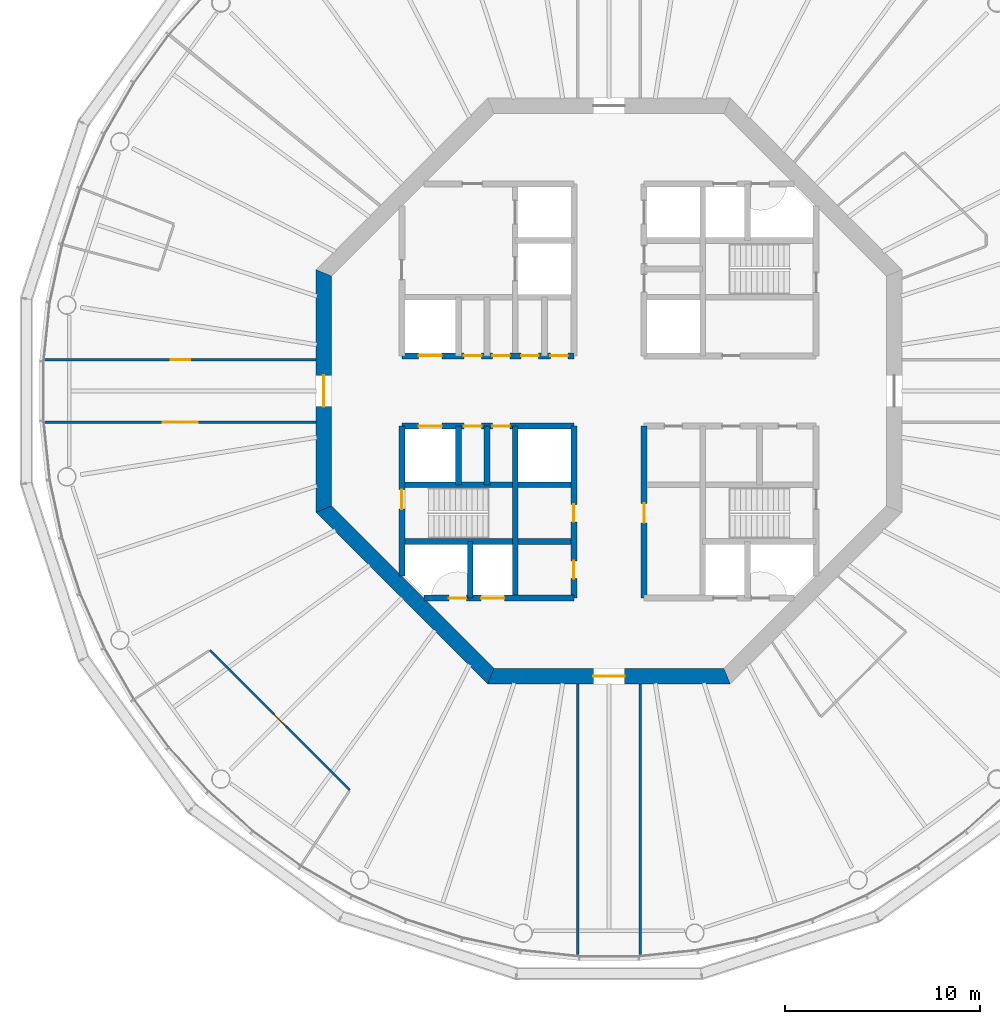
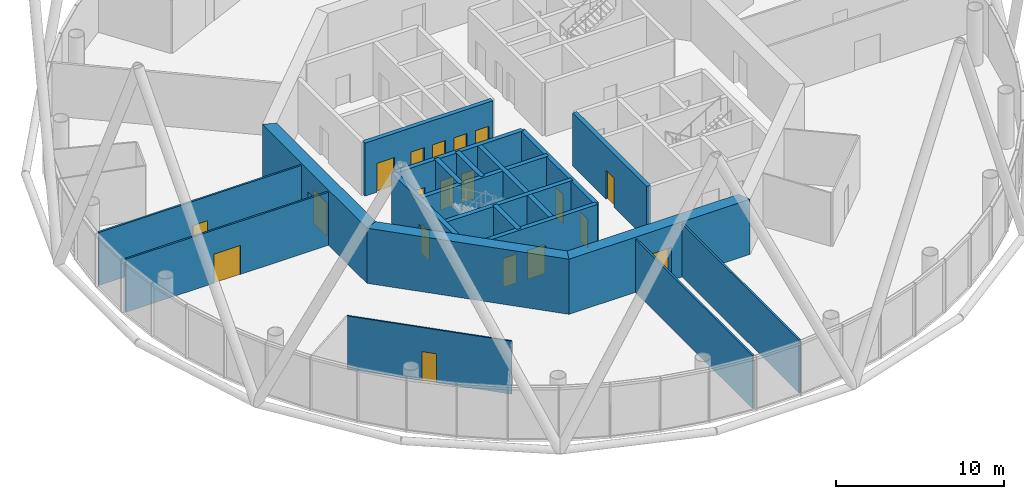
# One storey, part 3 of 13: 20 walls, 19 doors, 19 openings.
"""IFC4 building model written with IfcOpenShell, lengths in metres."""

from ifc_helpers import new_model, si_unit, direction, frame, frame_2d, origin, place, context, subcontext, project, spatial, polyline, rectangle, outline, extrude, material, layer, layer_set, type_object, element, fill, save


model = new_model("IFC4")

# Units and contexts
model_context = context("Model", 3, precision=1e-05, world=origin(), true_north=direction((0.0, 1.0)))
body_context = subcontext(model_context, "Body", "Model", "MODEL_VIEW")
ifc_project = project(units=[si_unit("LENGTHUNIT", "METRE"), si_unit("AREAUNIT", "SQUARE_METRE"), si_unit("VOLUMEUNIT", "CUBIC_METRE"), si_unit("PLANEANGLEUNIT", "RADIAN"), si_unit("MASSUNIT", "GRAM", prefix="KILO")], contexts=[model_context])

# Site, building, storey
site_placement = place(None, origin())
site = spatial("IfcSite", under=ifc_project, at=site_placement, CompositionType="ELEMENT")
building_placement = place(site_placement, origin())
building = spatial("IfcBuilding", under=site, at=building_placement, Name="Entoto Ring Tower", CompositionType="ELEMENT")
storey_placement = place(building_placement, frame((0.0, 0.0, 274.0)))
storey = spatial("IfcBuildingStorey", under=building, at=storey_placement, Name="L62", CompositionType="ELEMENT", Elevation=274.0)

# Wall, opening, door
ifc_material_1 = material(Name="Concrete C40/50", Category="concrete")
ifc_layer_1 = layer(ifc_material_1, 0.300048828125)
ifc_layer_set_1 = layer_set([ifc_layer_1], Name="Concrete C40/50")
wall_type_1 = type_object("IfcWallType", Name="Core enclosure wall 300 mm reinforced concrete", PredefinedType="SOLIDWALL", material=ifc_layer_set_1)
wall_1_placement = place(storey_placement, frame((91.800048828125, 69.39990234375, 0.0), z_axis=(0.0, 0.0, 1.0), x_axis=(0.0, 1.0, 0.0)))
wall_1 = element("IfcWall", 1, at=wall_1_placement, inside=storey, type_object=wall_type_1, Name="wall-L62-008", PredefinedType="SOLIDWALL", context=body_context, shape_type="SweptSolid", body=[
    extrude(rectangle(XDim=8.800048828125, YDim=0.300048828125, at=frame_2d((4.39990234375, 0.0))), origin(), (0.0, 0.0, 1.0), 3.85009765625),
])
opening_1_placement = place(wall_1_placement, frame((3.85009765625, 0.0, 0.0)))
opening_1 = element("IfcOpeningElement", 2, at=opening_1_placement, cuts=wall_1, Name="Opening K-64", PredefinedType="OPENING", context=body_context, shape_type="SweptSolid", body=[
    extrude(rectangle(XDim=1.0, YDim=2.10009765625, at=frame_2d((0.5, 1.050048828125))), frame((0.0, 0.16015625, 0.0), z_axis=(0.0, -1.0, 0.0), x_axis=(1.0, 0.0, 0.0)), (0.0, 0.0, 1.0), 0.320068359375),
])
ifc_material_2 = material(Name="Steel door leaf, fire rated", Category="steel")
ifc_layer_2 = layer(ifc_material_2, 0.050048828125)
ifc_layer_set_2 = layer_set([ifc_layer_2], Name="Steel door leaf, fire rated")
door_type_1 = type_object("IfcDoorType", Name="Accessible door 1000 x 2100 single leaf", OperationType="NOTDEFINED", PredefinedType="DOOR", material=ifc_layer_set_2)
door_1_placement = place(opening_1_placement, frame((1.0, 0.0, 0.0), z_axis=(0.0, 0.0, 1.0), x_axis=(-1.0, 0.0, 0.0)))
door_1 = element("IfcDoor", 3, at=door_1_placement, inside=storey, type_object=door_type_1, Name="Door K-64", OperationType="SINGLE_SWING_LEFT", OverallHeight=2.10009765625, OverallWidth=1.0, PredefinedType="DOOR", context=body_context, shape_type="SweptSolid", body=[
    extrude(rectangle(XDim=1.0, YDim=2.10009765625, at=frame_2d((0.5, 1.050048828125))), frame((0.0, 0.02490234375, 0.0), z_axis=(0.0, -1.0, 0.0), x_axis=(1.0, 0.0, 0.0)), (0.0, 0.0, 1.0), 0.050048828125),
])
fill(opening_1, door_1)

# Wall, openings, doors
wall_2_placement = place(storey_placement, frame((88.199951171875, 69.39990234375, 0.0), z_axis=(0.0, 0.0, 1.0), x_axis=(0.0, 1.0, 0.0)))
wall_2 = element("IfcWall", 4, at=wall_2_placement, inside=storey, type_object=wall_type_1, Name="wall-L62-010", PredefinedType="SOLIDWALL", context=body_context, shape_type="SweptSolid", body=[
    extrude(rectangle(XDim=8.800048828125, YDim=0.300048828125, at=frame_2d((4.39990234375, 0.0))), origin(), (0.0, 0.0, 1.0), 3.85009765625),
])
opening_2_placement = place(wall_2_placement, frame((3.89990234375, 0.0, 0.0)))
opening_2 = element("IfcOpeningElement", 5, at=opening_2_placement, cuts=wall_2, Name="Opening K-21", PredefinedType="OPENING", context=body_context, shape_type="SweptSolid", body=[
    extrude(rectangle(XDim=0.89990234375, YDim=2.10009765625, at=frame_2d((0.449951171875, 1.050048828125))), frame((0.0, 0.16015625, 0.0), z_axis=(0.0, -1.0, 0.0), x_axis=(1.0, 0.0, 0.0)), (0.0, 0.0, 1.0), 0.320068359375),
])
opening_3_placement = place(wall_2_placement, frame((1.0, 0.0, 0.0)))
opening_3 = element("IfcOpeningElement", 6, at=opening_3_placement, cuts=wall_2, Name="Opening K-69", PredefinedType="OPENING", context=body_context, shape_type="SweptSolid", body=[
    extrude(rectangle(XDim=0.89990234375, YDim=2.10009765625, at=frame_2d((0.449951171875, 1.050048828125))), frame((0.0, 0.16015625, 0.0), z_axis=(0.0, -1.0, 0.0), x_axis=(1.0, 0.0, 0.0)), (0.0, 0.0, 1.0), 0.320068359375),
])
ifc_material_3 = material(Name="Steel door leaf, fire rated", Category="steel")
ifc_layer_3 = layer(ifc_material_3, 0.050048828125)
ifc_layer_set_3 = layer_set([ifc_layer_3], Name="Steel door leaf, fire rated")
door_type_2 = type_object("IfcDoorType", Name="Core door 900 x 2100 single leaf", OperationType="NOTDEFINED", PredefinedType="DOOR", material=ifc_layer_set_3)
door_2_placement = place(opening_2_placement, origin())
door_2 = element("IfcDoor", 7, at=door_2_placement, inside=storey, type_object=door_type_2, Name="Door K-21", OperationType="SINGLE_SWING_RIGHT", OverallHeight=2.10009765625, OverallWidth=0.89990234375, PredefinedType="DOOR", context=body_context, shape_type="SweptSolid", body=[
    extrude(rectangle(XDim=0.89990234375, YDim=2.10009765625, at=frame_2d((0.449951171875, 1.050048828125))), frame((0.0, 0.02490234375, 0.0), z_axis=(0.0, -1.0, 0.0), x_axis=(1.0, 0.0, 0.0)), (0.0, 0.0, 1.0), 0.050048828125),
])
fill(opening_2, door_2)
door_3_placement = place(opening_3_placement, origin())
door_3 = element("IfcDoor", 8, at=door_3_placement, inside=storey, type_object=door_type_2, Name="Door K-69", OperationType="SINGLE_SWING_RIGHT", OverallHeight=2.10009765625, OverallWidth=0.89990234375, PredefinedType="DOOR", context=body_context, shape_type="SweptSolid", body=[
    extrude(rectangle(XDim=0.89990234375, YDim=2.10009765625, at=frame_2d((0.449951171875, 1.050048828125))), frame((0.0, 0.02490234375, 0.0), z_axis=(0.0, -1.0, 0.0), x_axis=(1.0, 0.0, 0.0)), (0.0, 0.0, 1.0), 0.050048828125),
])
fill(opening_3, door_3)

# Walls
wall_3_placement = place(storey_placement, frame((85.199951171875, 69.39990234375, 0.0), z_axis=(0.0, 0.0, 1.0), x_axis=(0.0, 1.0, 0.0)))
element("IfcWall", 9, at=wall_3_placement, inside=storey, type_object=wall_type_1, Name="wall-L62-013", PredefinedType="SOLIDWALL", context=body_context, shape_type="SweptSolid", body=[
    extrude(rectangle(XDim=8.800048828125, YDim=0.300048828125, at=frame_2d((4.39990234375, 0.0))), origin(), (0.0, 0.0, 1.0), 3.85009765625),
])
wall_4_placement = place(storey_placement, frame((83.75, 75.199951171875, 0.0), z_axis=(0.0, 0.0, 1.0), x_axis=(0.0, 1.0, 0.0)))
element("IfcWall", 10, at=wall_4_placement, inside=storey, type_object=wall_type_1, Name="wall-L62-015", PredefinedType="SOLIDWALL", context=body_context, shape_type="SweptSolid", body=[
    extrude(rectangle(XDim=3.0, YDim=0.300048828125, at=frame_2d((1.5, 0.0))), origin(), (0.0, 0.0, 1.0), 3.85009765625),
])
wall_5_placement = place(storey_placement, frame((82.89990234375, 69.39990234375, 0.0), z_axis=(0.0, 0.0, 1.0), x_axis=(0.0, 1.0, 0.0)))
element("IfcWall", 11, at=wall_5_placement, inside=storey, type_object=wall_type_1, Name="wall-L62-017", PredefinedType="SOLIDWALL", context=body_context, shape_type="SweptSolid", body=[
    extrude(rectangle(XDim=2.900146484375, YDim=0.300048828125, at=frame_2d((1.4501953125, 0.0))), origin(), (0.0, 0.0, 1.0), 3.85009765625),
])
wall_6_placement = place(storey_placement, frame((82.300048828125, 75.199951171875, 0.0), z_axis=(0.0, 0.0, 1.0), x_axis=(0.0, 1.0, 0.0)))
element("IfcWall", 12, at=wall_6_placement, inside=storey, type_object=wall_type_1, Name="wall-L62-018", PredefinedType="SOLIDWALL", context=body_context, shape_type="SweptSolid", body=[
    extrude(rectangle(XDim=3.0, YDim=0.300048828125, at=frame_2d((1.5, 0.0))), origin(), (0.0, 0.0, 1.0), 3.85009765625),
])

# Wall, opening, door
wall_7_placement = place(storey_placement, frame((79.39990234375, 70.518310546875, 0.0), z_axis=(0.0, 0.0, 1.0), x_axis=(0.0, 1.0, 0.0)))
wall_7 = element("IfcWall", 13, at=wall_7_placement, inside=storey, type_object=wall_type_1, Name="wall-L62-020", PredefinedType="SOLIDWALL", context=body_context, shape_type="SweptSolid", body=[
    extrude(rectangle(XDim=7.681640625, YDim=0.300048828125, at=frame_2d((3.8408203125, 0.0))), origin(), (0.0, 0.0, 1.0), 3.85009765625),
])
opening_4_placement = place(wall_7_placement, frame((3.431884765625, 0.0, 0.0)))
opening_4 = element("IfcOpeningElement", 14, at=opening_4_placement, cuts=wall_7, Name="Opening K-27", PredefinedType="OPENING", context=body_context, shape_type="SweptSolid", body=[
    extrude(rectangle(XDim=1.0, YDim=2.10009765625, at=frame_2d((0.5, 1.050048828125))), frame((0.0, 0.16015625, 0.0), z_axis=(0.0, -1.0, 0.0), x_axis=(1.0, 0.0, 0.0)), (0.0, 0.0, 1.0), 0.320068359375),
])
ifc_material_4 = material(Name="Steel door leaf, fire rated", Category="steel")
ifc_layer_4 = layer(ifc_material_4, 0.050048828125)
ifc_layer_set_4 = layer_set([ifc_layer_4], Name="Steel door leaf, fire rated")
door_type_3 = type_object("IfcDoorType", Name="Fire door FD60 1000 x 2100 single leaf", OperationType="NOTDEFINED", PredefinedType="DOOR", material=ifc_layer_set_4)
door_4_placement = place(opening_4_placement, frame((1.0, 0.0, 0.0), z_axis=(0.0, 0.0, 1.0), x_axis=(-1.0, 0.0, 0.0)))
door_4 = element("IfcDoor", 15, at=door_4_placement, inside=storey, type_object=door_type_3, Name="Door K-27", OperationType="SINGLE_SWING_LEFT", OverallHeight=2.10009765625, OverallWidth=1.0, PredefinedType="DOOR", context=body_context, shape_type="SweptSolid", body=[
    extrude(rectangle(XDim=1.0, YDim=2.10009765625, at=frame_2d((0.5, 1.050048828125))), frame((0.0, 0.02490234375, 0.0), z_axis=(0.0, -1.0, 0.0), x_axis=(1.0, 0.0, 0.0)), (0.0, 0.0, 1.0), 0.050048828125),
])
fill(opening_4, door_4)

# Wall, openings, doors
wall_8_placement = place(storey_placement, frame((80.518310546875, 69.39990234375, 0.0), z_axis=(0.0, 0.0, 1.0), x_axis=(1.0, 0.0, 0.0)))
wall_8 = element("IfcWall", 16, at=wall_8_placement, inside=storey, type_object=wall_type_1, Name="wall-L62-022", PredefinedType="SOLIDWALL", context=body_context, shape_type="SweptSolid", body=[
    extrude(rectangle(XDim=7.681640625, YDim=0.300048828125, at=frame_2d((3.8408203125, 0.0))), origin(), (0.0, 0.0, 1.0), 3.85009765625),
])
opening_5_placement = place(wall_8_placement, frame((2.931884765625, 0.0, 0.0)))
opening_5 = element("IfcOpeningElement", 17, at=opening_5_placement, cuts=wall_8, Name="Opening LD", PredefinedType="OPENING", context=body_context, shape_type="SweptSolid", body=[
    extrude(rectangle(XDim=1.199951171875, YDim=2.10009765625, at=frame_2d((0.60009765625, 1.050048828125))), frame((0.0, 0.16015625, 0.0), z_axis=(0.0, -1.0, 0.0), x_axis=(1.0, 0.0, 0.0)), (0.0, 0.0, 1.0), 0.320068359375),
])
opening_6_placement = place(wall_8_placement, frame((1.28173828125, 0.0, 0.0)))
opening_6 = element("IfcOpeningElement", 18, at=opening_6_placement, cuts=wall_8, Name="Opening K-84", PredefinedType="OPENING", context=body_context, shape_type="SweptSolid", body=[
    extrude(rectangle(XDim=0.89990234375, YDim=2.10009765625, at=frame_2d((0.449951171875, 1.050048828125))), frame((0.0, 0.16015625, 0.0), z_axis=(0.0, -1.0, 0.0), x_axis=(1.0, 0.0, 0.0)), (0.0, 0.0, 1.0), 0.320068359375),
])
ifc_material_5 = material(Name="Steel and glass door leaf", Category="steel")
ifc_layer_5 = layer(ifc_material_5, 0.050048828125)
ifc_layer_set_5 = layer_set([ifc_layer_5], Name="Steel and glass door leaf")
door_type_4 = type_object("IfcDoorType", Name="Landing door 1200 x 2100 sliding", OperationType="DOUBLE_DOOR_SLIDING", PredefinedType="DOOR", material=ifc_layer_set_5)
door_5_placement = place(opening_5_placement, origin())
door_5 = element("IfcDoor", 19, at=door_5_placement, inside=storey, type_object=door_type_4, Name="Landing door LB3-HR", OperationType="SLIDING_TO_RIGHT", OverallHeight=2.10009765625, OverallWidth=1.199951171875, PredefinedType="DOOR", context=body_context, shape_type="SweptSolid", body=[
    extrude(rectangle(XDim=1.199951171875, YDim=2.10009765625, at=frame_2d((0.60009765625, 1.050048828125))), frame((0.0, 0.02490234375, 0.0), z_axis=(0.0, -1.0, 0.0), x_axis=(1.0, 0.0, 0.0)), (0.0, 0.0, 1.0), 0.050048828125),
])
fill(opening_5, door_5)
ifc_material_6 = material(Name="Steel door leaf, fire rated", Category="steel")
ifc_layer_6 = layer(ifc_material_6, 0.050048828125)
ifc_layer_set_6 = layer_set([ifc_layer_6], Name="Steel door leaf, fire rated")
door_type_5 = type_object("IfcDoorType", Name="Riser door FD60 900 x 2100 single leaf", OperationType="NOTDEFINED", PredefinedType="DOOR", material=ifc_layer_set_6)
door_6_placement = place(opening_6_placement, origin())
door_6 = element("IfcDoor", 20, at=door_6_placement, inside=storey, type_object=door_type_5, Name="Door K-84", OperationType="SINGLE_SWING_RIGHT", OverallHeight=2.10009765625, OverallWidth=0.89990234375, PredefinedType="DOOR", context=body_context, shape_type="SweptSolid", body=[
    extrude(rectangle(XDim=0.89990234375, YDim=2.10009765625, at=frame_2d((0.449951171875, 1.050048828125))), frame((0.0, 0.02490234375, 0.0), z_axis=(0.0, -1.0, 0.0), x_axis=(1.0, 0.0, 0.0)), (0.0, 0.0, 1.0), 0.050048828125),
])
fill(opening_6, door_6)

# Walls
for number, where, z_axis, x_axis, name in (
    (21, (79.39990234375, 72.300048828125, 0.0), (0.0, 0.0, 1.0), (1.0, 0.0, 0.0), "wall-L62-024"),
    (22, (79.39990234375, 75.199951171875, 0.0), (0.0, 0.0, 1.0), (1.0, 0.0, 0.0), "wall-L62-026"),
):
    element("IfcWall", number, at=place(storey_placement, frame(where, z_axis=z_axis, x_axis=x_axis)), inside=storey, type_object=wall_type_1, Name=name, PredefinedType="SOLIDWALL", context=body_context, shape_type="SweptSolid", body=[
        extrude(rectangle(XDim=8.800048828125, YDim=0.300048828125, at=frame_2d((4.39990234375, 0.0))), origin(), (0.0, 0.0, 1.0), 3.85009765625),
    ])

# Wall, openings, doors
wall_9_placement = place(storey_placement, frame((79.39990234375, 78.199951171875, 0.0), z_axis=(0.0, 0.0, 1.0), x_axis=(1.0, 0.0, 0.0)))
wall_9 = element("IfcWall", 23, at=wall_9_placement, inside=storey, type_object=wall_type_1, Name="wall-L62-028", PredefinedType="SOLIDWALL", context=body_context, shape_type="SweptSolid", body=[
    extrude(rectangle(XDim=8.800048828125, YDim=0.300048828125, at=frame_2d((4.39990234375, 0.0))), origin(), (0.0, 0.0, 1.0), 3.85009765625),
])
opening_7_placement = place(wall_9_placement, frame((0.85009765625, 0.0, 0.0)))
opening_7 = element("IfcOpeningElement", 24, at=opening_7_placement, cuts=wall_9, Name="Opening LD", PredefinedType="OPENING", context=body_context, shape_type="SweptSolid", body=[
    extrude(rectangle(XDim=1.199951171875, YDim=2.10009765625, at=frame_2d((0.60009765625, 1.050048828125))), frame((0.0, 0.16015625, 0.0), z_axis=(0.0, -1.0, 0.0), x_axis=(1.0, 0.0, 0.0)), (0.0, 0.0, 1.0), 0.320068359375),
])
opening_8_placement = place(wall_9_placement, frame((3.175048828125, 0.0, 0.0)))
opening_8 = element("IfcOpeningElement", 25, at=opening_8_placement, cuts=wall_9, Name="Opening K-16", PredefinedType="OPENING", context=body_context, shape_type="SweptSolid", body=[
    extrude(rectangle(XDim=0.89990234375, YDim=2.10009765625, at=frame_2d((0.449951171875, 1.050048828125))), frame((0.0, 0.16015625, 0.0), z_axis=(0.0, -1.0, 0.0), x_axis=(1.0, 0.0, 0.0)), (0.0, 0.0, 1.0), 0.320068359375),
])
opening_9_placement = place(wall_9_placement, frame((4.625, 0.0, 0.0)))
opening_9 = element("IfcOpeningElement", 26, at=opening_9_placement, cuts=wall_9, Name="Opening K-57", PredefinedType="OPENING", context=body_context, shape_type="SweptSolid", body=[
    extrude(rectangle(XDim=0.89990234375, YDim=2.10009765625, at=frame_2d((0.449951171875, 1.050048828125))), frame((0.0, 0.16015625, 0.0), z_axis=(0.0, -1.0, 0.0), x_axis=(1.0, 0.0, 0.0)), (0.0, 0.0, 1.0), 0.320068359375),
])
door_7_placement = place(opening_8_placement, frame((0.89990234375, 0.0, 0.0), z_axis=(0.0, 0.0, 1.0), x_axis=(-1.0, 0.0, 0.0)))
door_7 = element("IfcDoor", 27, at=door_7_placement, inside=storey, type_object=door_type_2, Name="Door K-16", OperationType="SINGLE_SWING_LEFT", OverallHeight=2.10009765625, OverallWidth=0.89990234375, PredefinedType="DOOR", context=body_context, shape_type="SweptSolid", body=[
    extrude(rectangle(XDim=0.89990234375, YDim=2.10009765625, at=frame_2d((0.449951171875, 1.050048828125))), frame((0.0, 0.02490234375, 0.0), z_axis=(0.0, -1.0, 0.0), x_axis=(1.0, 0.0, 0.0)), (0.0, 0.0, 1.0), 0.050048828125),
])
fill(opening_8, door_7)
door_8_placement = place(opening_9_placement, frame((0.89990234375, 0.0, 0.0), z_axis=(0.0, 0.0, 1.0), x_axis=(-1.0, 0.0, 0.0)))
door_8 = element("IfcDoor", 28, at=door_8_placement, inside=storey, type_object=door_type_2, Name="Door K-57", OperationType="SINGLE_SWING_LEFT", OverallHeight=2.10009765625, OverallWidth=0.89990234375, PredefinedType="DOOR", context=body_context, shape_type="SweptSolid", body=[
    extrude(rectangle(XDim=0.89990234375, YDim=2.10009765625, at=frame_2d((0.449951171875, 1.050048828125))), frame((0.0, 0.02490234375, 0.0), z_axis=(0.0, -1.0, 0.0), x_axis=(1.0, 0.0, 0.0)), (0.0, 0.0, 1.0), 0.050048828125),
])
fill(opening_9, door_8)
door_9_placement = place(opening_7_placement, origin())
door_9 = element("IfcDoor", 29, at=door_9_placement, inside=storey, type_object=door_type_4, Name="Landing door SH2", OperationType="SLIDING_TO_RIGHT", OverallHeight=2.10009765625, OverallWidth=1.199951171875, PredefinedType="DOOR", context=body_context, shape_type="SweptSolid", body=[
    extrude(rectangle(XDim=1.199951171875, YDim=2.10009765625, at=frame_2d((0.60009765625, 1.050048828125))), frame((0.0, 0.02490234375, 0.0), z_axis=(0.0, -1.0, 0.0), x_axis=(1.0, 0.0, 0.0)), (0.0, 0.0, 1.0), 0.050048828125),
])
fill(opening_7, door_9)

wall_10_placement = place(storey_placement, frame((79.39990234375, 81.800048828125, 0.0), z_axis=(0.0, 0.0, 1.0), x_axis=(1.0, 0.0, 0.0)))
wall_10 = element("IfcWall", 30, at=wall_10_placement, inside=storey, type_object=wall_type_1, Name="wall-L62-030", PredefinedType="SOLIDWALL", context=body_context, shape_type="SweptSolid", body=[
    extrude(rectangle(XDim=8.800048828125, YDim=0.300048828125, at=frame_2d((4.39990234375, 0.0))), origin(), (0.0, 0.0, 1.0), 3.85009765625),
])
opening_10_placement = place(wall_10_placement, frame((0.85009765625, 0.0, 0.0)))
opening_10 = element("IfcOpeningElement", 31, at=opening_10_placement, cuts=wall_10, Name="Opening LD", PredefinedType="OPENING", context=body_context, shape_type="SweptSolid", body=[
    extrude(rectangle(XDim=1.199951171875, YDim=2.10009765625, at=frame_2d((0.60009765625, 1.050048828125))), frame((0.0, 0.16015625, 0.0), z_axis=(0.0, -1.0, 0.0), x_axis=(1.0, 0.0, 0.0)), (0.0, 0.0, 1.0), 0.320068359375),
])
opening_11_placement = place(wall_10_placement, frame((3.175048828125, 0.0, 0.0)))
opening_11 = element("IfcOpeningElement", 32, at=opening_11_placement, cuts=wall_10, Name="Opening K-12", PredefinedType="OPENING", context=body_context, shape_type="SweptSolid", body=[
    extrude(rectangle(XDim=0.89990234375, YDim=2.10009765625, at=frame_2d((0.449951171875, 1.050048828125))), frame((0.0, 0.16015625, 0.0), z_axis=(0.0, -1.0, 0.0), x_axis=(1.0, 0.0, 0.0)), (0.0, 0.0, 1.0), 0.320068359375),
])
opening_12_placement = place(wall_10_placement, frame((4.625, 0.0, 0.0)))
opening_12 = element("IfcOpeningElement", 33, at=opening_12_placement, cuts=wall_10, Name="Opening K-46", PredefinedType="OPENING", context=body_context, shape_type="SweptSolid", body=[
    extrude(rectangle(XDim=0.89990234375, YDim=2.10009765625, at=frame_2d((0.449951171875, 1.050048828125))), frame((0.0, 0.16015625, 0.0), z_axis=(0.0, -1.0, 0.0), x_axis=(1.0, 0.0, 0.0)), (0.0, 0.0, 1.0), 0.320068359375),
])
opening_13_placement = place(wall_10_placement, frame((6.10009765625, 0.0, 0.0)))
opening_13 = element("IfcOpeningElement", 34, at=opening_13_placement, cuts=wall_10, Name="Opening K-71", PredefinedType="OPENING", context=body_context, shape_type="SweptSolid", body=[
    extrude(rectangle(XDim=0.89990234375, YDim=2.10009765625, at=frame_2d((0.449951171875, 1.050048828125))), frame((0.0, 0.16015625, 0.0), z_axis=(0.0, -1.0, 0.0), x_axis=(1.0, 0.0, 0.0)), (0.0, 0.0, 1.0), 0.320068359375),
])
opening_14_placement = place(wall_10_placement, frame((7.60009765625, 0.0, 0.0)))
opening_14 = element("IfcOpeningElement", 35, at=opening_14_placement, cuts=wall_10, Name="Opening K-24", PredefinedType="OPENING", context=body_context, shape_type="SweptSolid", body=[
    extrude(rectangle(XDim=0.89990234375, YDim=2.10009765625, at=frame_2d((0.449951171875, 1.050048828125))), frame((0.0, 0.16015625, 0.0), z_axis=(0.0, -1.0, 0.0), x_axis=(1.0, 0.0, 0.0)), (0.0, 0.0, 1.0), 0.320068359375),
])
door_10_placement = place(opening_11_placement, origin())
door_10 = element("IfcDoor", 36, at=door_10_placement, inside=storey, type_object=door_type_2, Name="Door K-12", OperationType="SINGLE_SWING_RIGHT", OverallHeight=2.10009765625, OverallWidth=0.89990234375, PredefinedType="DOOR", context=body_context, shape_type="SweptSolid", body=[
    extrude(rectangle(XDim=0.89990234375, YDim=2.10009765625, at=frame_2d((0.449951171875, 1.050048828125))), frame((0.0, 0.02490234375, 0.0), z_axis=(0.0, -1.0, 0.0), x_axis=(1.0, 0.0, 0.0)), (0.0, 0.0, 1.0), 0.050048828125),
])
fill(opening_11, door_10)
door_11_placement = place(opening_12_placement, origin())
door_11 = element("IfcDoor", 37, at=door_11_placement, inside=storey, type_object=door_type_2, Name="Door K-46", OperationType="SINGLE_SWING_RIGHT", OverallHeight=2.10009765625, OverallWidth=0.89990234375, PredefinedType="DOOR", context=body_context, shape_type="SweptSolid", body=[
    extrude(rectangle(XDim=0.89990234375, YDim=2.10009765625, at=frame_2d((0.449951171875, 1.050048828125))), frame((0.0, 0.02490234375, 0.0), z_axis=(0.0, -1.0, 0.0), x_axis=(1.0, 0.0, 0.0)), (0.0, 0.0, 1.0), 0.050048828125),
])
fill(opening_12, door_11)
door_12_placement = place(opening_13_placement, origin())
door_12 = element("IfcDoor", 38, at=door_12_placement, inside=storey, type_object=door_type_2, Name="Door K-71", OperationType="SINGLE_SWING_LEFT", OverallHeight=2.10009765625, OverallWidth=0.89990234375, PredefinedType="DOOR", context=body_context, shape_type="SweptSolid", body=[
    extrude(rectangle(XDim=0.89990234375, YDim=2.10009765625, at=frame_2d((0.449951171875, 1.050048828125))), frame((0.0, 0.02490234375, 0.0), z_axis=(0.0, -1.0, 0.0), x_axis=(1.0, 0.0, 0.0)), (0.0, 0.0, 1.0), 0.050048828125),
])
fill(opening_13, door_12)
door_13_placement = place(opening_14_placement, origin())
door_13 = element("IfcDoor", 39, at=door_13_placement, inside=storey, type_object=door_type_2, Name="Door K-24", OperationType="SINGLE_SWING_LEFT", OverallHeight=2.10009765625, OverallWidth=0.89990234375, PredefinedType="DOOR", context=body_context, shape_type="SweptSolid", body=[
    extrude(rectangle(XDim=0.89990234375, YDim=2.10009765625, at=frame_2d((0.449951171875, 1.050048828125))), frame((0.0, 0.02490234375, 0.0), z_axis=(0.0, -1.0, 0.0), x_axis=(1.0, 0.0, 0.0)), (0.0, 0.0, 1.0), 0.050048828125),
])
fill(opening_14, door_13)
door_14_placement = place(opening_10_placement, origin())
door_14 = element("IfcDoor", 40, at=door_14_placement, inside=storey, type_object=door_type_4, Name="Landing door SH1", OperationType="SLIDING_TO_RIGHT", OverallHeight=2.10009765625, OverallWidth=1.199951171875, PredefinedType="DOOR", context=body_context, shape_type="SweptSolid", body=[
    extrude(rectangle(XDim=1.199951171875, YDim=2.10009765625, at=frame_2d((0.60009765625, 1.050048828125))), frame((0.0, 0.02490234375, 0.0), z_axis=(0.0, -1.0, 0.0), x_axis=(1.0, 0.0, 0.0)), (0.0, 0.0, 1.0), 0.050048828125),
])
fill(opening_10, door_14)

# Wall, opening, door
ifc_material_7 = material(Name="Concrete C40/50", Category="concrete")
ifc_layer_7 = layer(ifc_material_7, 0.800048828125)
ifc_layer_set_7 = layer_set([ifc_layer_7], Name="Concrete C40/50")
wall_type_2 = type_object("IfcWallType", Name="Core shear wall 800 mm reinforced concrete C40/50", PredefinedType="SHEAR", material=ifc_layer_set_7)
wall_11_placement = place(storey_placement, frame((75.39990234375, 86.047607421875, 0.0), z_axis=(0.0, 0.0, 1.0), x_axis=(0.0, -1.0, 0.0)))
wall_11 = element("IfcWall", 41, at=wall_11_placement, inside=storey, type_object=wall_type_2, Name="wall-L62-core-4", PredefinedType="SHEAR", context=body_context, shape_type="SweptSolid", body=[
    extrude(outline(polyline([(-0.165771484375, -0.39990234375), (12.260986328125, -0.39990234375), (11.929443359375, 0.39990234375), (0.165771484375, 0.39990234375), (-0.165771484375, -0.39990234375)])), origin(), (0.0, 0.0, 1.0), 4.0),
])
opening_15_placement = place(wall_11_placement, frame((5.24755859375, 0.0, 0.0)))
opening_15 = element("IfcOpeningElement", 42, at=opening_15_placement, cuts=wall_11, Name="Opening K-03", PredefinedType="OPENING", context=body_context, shape_type="SweptSolid", body=[
    extrude(rectangle(XDim=1.60009765625, YDim=2.39990234375, at=frame_2d((0.800048828125, 1.199951171875))), frame((0.0, 0.41015625, 0.0), z_axis=(0.0, -1.0, 0.0), x_axis=(1.0, 0.0, 0.0)), (0.0, 0.0, 1.0), 0.820068359375),
])
ifc_material_8 = material(Name="Steel door leaf, fire rated", Category="steel")
ifc_layer_8 = layer(ifc_material_8, 0.050048828125)
ifc_layer_set_8 = layer_set([ifc_layer_8], Name="Steel door leaf, fire rated")
door_type_6 = type_object("IfcDoorType", Name="Entrance door FD60 1600 x 2400 double leaf", OperationType="DOUBLE_DOOR_SINGLE_SWING", PredefinedType="DOOR", material=ifc_layer_set_8)
door_15_placement = place(opening_15_placement, origin())
door_15 = element("IfcDoor", 43, at=door_15_placement, inside=storey, type_object=door_type_6, Name="Entrance door K-03", OperationType="DOUBLE_DOOR_SINGLE_SWING", OverallHeight=2.39990234375, OverallWidth=1.60009765625, PredefinedType="DOOR", context=body_context, shape_type="SweptSolid", body=[
    extrude(rectangle(XDim=1.60009765625, YDim=2.39990234375, at=frame_2d((0.800048828125, 1.199951171875))), frame((0.0, 0.02490234375, 0.0), z_axis=(0.0, -1.0, 0.0), x_axis=(1.0, 0.0, 0.0)), (0.0, 0.0, 1.0), 0.050048828125),
])
fill(opening_15, door_15)

# Wall
wall_12_placement = place(storey_placement, frame((75.39990234375, 73.952392578125, 0.0), z_axis=(0.0, 0.0, 1.0), x_axis=(0.707106781187, -0.707106781187, 0.0)))
element("IfcWall", 44, at=wall_12_placement, inside=storey, type_object=wall_type_2, Name="wall-L62-core-5", PredefinedType="SHEAR", context=body_context, shape_type="SweptSolid", body=[
    extrude(outline(polyline([(-0.165771484375, -0.39990234375), (12.2607421875, -0.39990234375), (11.92919921875, 0.39990234375), (0.165771484375, 0.39990234375), (-0.165771484375, -0.39990234375)])), origin(), (0.0, 0.0, 1.0), 4.0),
])

# Wall, opening, door
wall_13_placement = place(storey_placement, frame((83.952392578125, 65.39990234375, 0.0), z_axis=(0.0, 0.0, 1.0), x_axis=(1.0, 0.0, 0.0)))
wall_13 = element("IfcWall", 45, at=wall_13_placement, inside=storey, type_object=wall_type_2, Name="wall-L62-core-6", PredefinedType="SHEAR", context=body_context, shape_type="SweptSolid", body=[
    extrude(outline(polyline([(-0.165771484375, -0.39990234375), (12.260986328125, -0.39990234375), (11.929443359375, 0.39990234375), (0.165771484375, 0.39990234375), (-0.165771484375, -0.39990234375)])), origin(), (0.0, 0.0, 1.0), 4.0),
])
opening_16_placement = place(wall_13_placement, frame((5.24755859375, 0.0, 0.0)))
opening_16 = element("IfcOpeningElement", 46, at=opening_16_placement, cuts=wall_13, Name="Opening K-04", PredefinedType="OPENING", context=body_context, shape_type="SweptSolid", body=[
    extrude(rectangle(XDim=1.60009765625, YDim=2.39990234375, at=frame_2d((0.800048828125, 1.199951171875))), frame((0.0, 0.41015625, 0.0), z_axis=(0.0, -1.0, 0.0), x_axis=(1.0, 0.0, 0.0)), (0.0, 0.0, 1.0), 0.820068359375),
])
door_16_placement = place(opening_16_placement, origin())
door_16 = element("IfcDoor", 47, at=door_16_placement, inside=storey, type_object=door_type_6, Name="Entrance door K-04", OperationType="DOUBLE_DOOR_SINGLE_SWING", OverallHeight=2.39990234375, OverallWidth=1.60009765625, PredefinedType="DOOR", context=body_context, shape_type="SweptSolid", body=[
    extrude(rectangle(XDim=1.60009765625, YDim=2.39990234375, at=frame_2d((0.800048828125, 1.199951171875))), frame((0.0, 0.02490234375, 0.0), z_axis=(0.0, -1.0, 0.0), x_axis=(1.0, 0.0, 0.0)), (0.0, 0.0, 1.0), 0.050048828125),
])
fill(opening_16, door_16)

ifc_material_9 = material(Name="Fire-resisting plasterboard on steel studs", Category="steel")
ifc_layer_9 = layer(ifc_material_9, 0.125)
ifc_layer_set_9 = layer_set([ifc_layer_9], Name="Fire-resisting plasterboard on steel studs")
wall_type_3 = type_object("IfcWallType", Name="Corridor wall 125 mm one-hour plasterboard on steel studs", PredefinedType="PARTITIONING", material=ifc_layer_set_9)
wall_14_placement = place(storey_placement, frame((61.108642578125, 78.39990234375, 0.0), z_axis=(0.0, 0.0, 1.0), x_axis=(1.0, 0.0, 0.0)))
wall_14 = element("IfcWall", 48, at=wall_14_placement, inside=storey, type_object=wall_type_3, Name="partition-L62-001", PredefinedType="PARTITIONING", context=body_context, shape_type="SweptSolid", body=[
    extrude(rectangle(XDim=13.891357421875, YDim=0.125, at=frame_2d((6.94580078125, 0.0))), origin(), (0.0, 0.0, 1.0), 3.85009765625),
])
opening_17_placement = place(wall_14_placement, frame((6.045654296875, 0.0, 0.0)))
opening_17 = element("IfcOpeningElement", 49, at=opening_17_placement, cuts=wall_14, Name="Opening A28-D09", PredefinedType="OPENING", context=body_context, shape_type="SweptSolid", body=[
    extrude(rectangle(XDim=1.800048828125, YDim=2.10009765625, at=frame_2d((0.89990234375, 1.050048828125))), frame((0.0, 0.072509765625, 0.0), z_axis=(0.0, -1.0, 0.0), x_axis=(1.0, 0.0, 0.0)), (0.0, 0.0, 1.0), 0.14501953125),
])
ifc_material_10 = material(Name="Fire-resisting timber door set", Category="wood")
door_type_7 = type_object("IfcDoorType", Name="Door 1800 x 2100 double leaf FD30S fire door", OperationType="DOUBLE_DOOR_SINGLE_SWING", PredefinedType="DOOR", material=ifc_material_10)
door_17_placement = place(opening_17_placement, frame((1.800048828125, 0.0, 0.0), z_axis=(0.0, 0.0, 1.0), x_axis=(-1.0, 0.0, 0.0)))
door_17 = element("IfcDoor", 50, at=door_17_placement, inside=storey, type_object=door_type_7, Name="Door A28-D09", OperationType="DOUBLE_DOOR_SINGLE_SWING", OverallHeight=2.10009765625, OverallWidth=1.800048828125, PredefinedType="DOOR", context=body_context, shape_type="SweptSolid", body=[
    extrude(rectangle(XDim=1.800048828125, YDim=2.10009765625, at=frame_2d((0.89990234375, 1.050048828125))), frame((0.0, 0.02490234375, 0.0), z_axis=(0.0, -1.0, 0.0), x_axis=(1.0, 0.0, 0.0)), (0.0, 0.0, 1.0), 0.050048828125),
])
fill(opening_17, door_17)

wall_15_placement = place(storey_placement, frame((61.108642578125, 81.60009765625, 0.0), z_axis=(0.0, 0.0, 1.0), x_axis=(1.0, 0.0, 0.0)))
wall_15 = element("IfcWall", 51, at=wall_15_placement, inside=storey, type_object=wall_type_3, Name="partition-L62-002", PredefinedType="PARTITIONING", context=body_context, shape_type="SweptSolid", body=[
    extrude(rectangle(XDim=13.891357421875, YDim=0.125, at=frame_2d((6.94580078125, 0.0))), origin(), (0.0, 0.0, 1.0), 3.85009765625),
])
opening_18_placement = place(wall_15_placement, frame((6.44580078125, 0.0, 0.0)))
opening_18 = element("IfcOpeningElement", 52, at=opening_18_placement, cuts=wall_15, Name="Opening A28-D07", PredefinedType="OPENING", context=body_context, shape_type="SweptSolid", body=[
    extrude(rectangle(XDim=1.0, YDim=2.10009765625, at=frame_2d((0.5, 1.050048828125))), frame((0.0, 0.072509765625, 0.0), z_axis=(0.0, -1.0, 0.0), x_axis=(1.0, 0.0, 0.0)), (0.0, 0.0, 1.0), 0.14501953125),
])
ifc_material_11 = material(Name="Fire-resisting timber door set", Category="wood")
door_type_8 = type_object("IfcDoorType", Name="Door 1000 x 2100 single leaf FD30S fire door", OperationType="NOTDEFINED", PredefinedType="DOOR", material=ifc_material_11)
door_18_placement = place(opening_18_placement, origin())
door_18 = element("IfcDoor", 53, at=door_18_placement, inside=storey, type_object=door_type_8, Name="Door A28-D07", OperationType="SINGLE_SWING_LEFT", OverallHeight=2.10009765625, OverallWidth=1.0, PredefinedType="DOOR", context=body_context, shape_type="SweptSolid", body=[
    extrude(rectangle(XDim=1.0, YDim=2.10009765625, at=frame_2d((0.5, 1.050048828125))), frame((0.0, 0.02490234375, 0.0), z_axis=(0.0, -1.0, 0.0), x_axis=(1.0, 0.0, 0.0)), (0.0, 0.0, 1.0), 0.050048828125),
])
fill(opening_18, door_18)

# Walls
for number, where, z_axis, x_axis, name in (
    (54, (88.39990234375, 51.108642578125, 0.0), (0.0, 0.0, 1.0), (0.0, 1.0, 0.0), "partition-L62-003"),
    (55, (91.60009765625, 51.108642578125, 0.0), (0.0, 0.0, 1.0), (0.0, 1.0, 0.0), "partition-L62-005"),
):
    element("IfcWall", number, at=place(storey_placement, frame(where, z_axis=z_axis, x_axis=x_axis)), inside=storey, type_object=wall_type_3, Name=name, PredefinedType="PARTITIONING", context=body_context, shape_type="SweptSolid", body=[
        extrude(rectangle(XDim=13.891357421875, YDim=0.125, at=frame_2d((6.94580078125, 0.0))), origin(), (0.0, 0.0, 1.0), 3.85009765625),
    ])

# Wall, opening, door
ifc_material_12 = material(Name="Plasterboard on steel studs", Category="steel")
ifc_layer_10 = layer(ifc_material_12, 0.10009765625)
ifc_layer_set_10 = layer_set([ifc_layer_10], Name="Plasterboard on steel studs")
wall_type_4 = type_object("IfcWallType", Name="Partition 100 mm plasterboard on steel studs", PredefinedType="PARTITIONING", material=ifc_layer_set_10)
wall_16_placement = place(storey_placement, frame((76.732666015625, 59.570068359375, 0.0), z_axis=(0.0, 0.0, 1.0), x_axis=(-0.707106781187, 0.707106781187, 0.0)))
wall_16 = element("IfcWall", 56, at=wall_16_placement, inside=storey, type_object=wall_type_4, Name="partition-L62-011", PredefinedType="PARTITIONING", context=body_context, shape_type="SweptSolid", body=[
    extrude(rectangle(XDim=10.12939453125, YDim=0.10009765625, at=frame_2d((5.064697265625, 0.0))), origin(), (0.0, 0.0, 1.0), 3.85009765625),
])
opening_19_placement = place(wall_16_placement, frame((4.61474609375, 0.0, 0.0)))
opening_19 = element("IfcOpeningElement", 57, at=opening_19_placement, cuts=wall_16, Name="Opening A28-D10", PredefinedType="OPENING", context=body_context, shape_type="SweptSolid", body=[
    extrude(rectangle(XDim=0.89990234375, YDim=2.10009765625, at=frame_2d((0.449951171875, 1.050048828125))), frame((0.0, 0.06005859375, 0.0), z_axis=(0.0, -1.0, 0.0), x_axis=(1.0, 0.0, 0.0)), (0.0, 0.0, 1.0), 0.1201171875),
])
ifc_material_13 = material(Name="Veneered timber door leaf in timber frame", Category="wood")
door_type_9 = type_object("IfcDoorType", Name="Door 900 x 2100 single leaf timber veneer", OperationType="NOTDEFINED", PredefinedType="DOOR", material=ifc_material_13)
door_19_placement = place(opening_19_placement, origin())
door_19 = element("IfcDoor", 58, at=door_19_placement, inside=storey, type_object=door_type_9, Name="Door A28-D10", OperationType="SINGLE_SWING_LEFT", OverallHeight=2.10009765625, OverallWidth=0.89990234375, PredefinedType="DOOR", context=body_context, shape_type="SweptSolid", body=[
    extrude(rectangle(XDim=0.89990234375, YDim=2.10009765625, at=frame_2d((0.449951171875, 1.050048828125))), frame((0.0, 0.02490234375, 0.0), z_axis=(0.0, -1.0, 0.0), x_axis=(1.0, 0.0, 0.0)), (0.0, 0.0, 1.0), 0.050048828125),
])
fill(opening_19, door_19)

save(model, "model.ifc")
